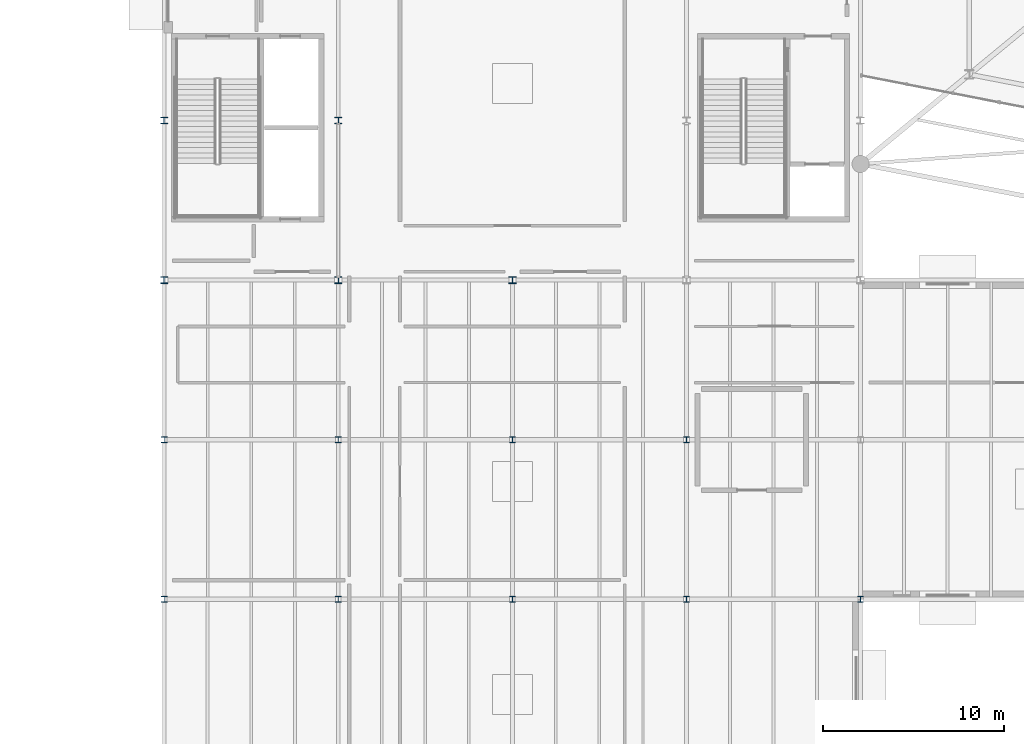
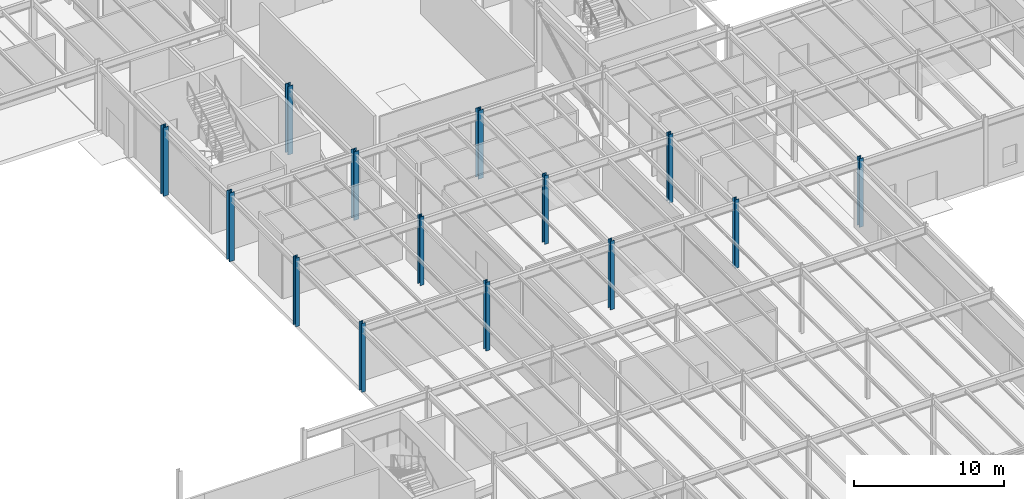
# One storey, part 8 of 70: 14 columns.
"""IFC4 building model written with IfcOpenShell, lengths in metres."""

from ifc_helpers import new_model, si_unit, direction, frame, origin, origin_2d, place, context, subcontext, project, spatial, i_section, extrude, material, material_profile, profile_set, type_object, element, save


model = new_model("IFC4")

# Units and contexts
model_context = context("Model", 3, precision=1e-05, world=origin(), true_north=direction((0.0, 1.0)))
body_context = subcontext(model_context, "Body", "Model", "MODEL_VIEW")
ifc_project = project(units=[si_unit("LENGTHUNIT", "METRE"), si_unit("AREAUNIT", "SQUARE_METRE"), si_unit("VOLUMEUNIT", "CUBIC_METRE"), si_unit("PLANEANGLEUNIT", "RADIAN"), si_unit("MASSUNIT", "GRAM", prefix="KILO")], contexts=[model_context])

# Site, building, storey
site_placement = place(None, origin())
site = spatial("IfcSite", under=ifc_project, at=site_placement, CompositionType="ELEMENT")
building_placement = place(site_placement, origin())
building = spatial("IfcBuilding", under=site, at=building_placement, Name="Sarnbrook Museum", CompositionType="ELEMENT")
storey_placement = place(building_placement, origin())
storey = spatial("IfcBuildingStorey", under=building, at=storey_placement, Name="L00", CompositionType="ELEMENT", Elevation=0.0)

# Columns
ifc_material_1 = material(Name="Structural Steel Grade 300PLUS (AS/NZS 3679.1, fy = 280 MPa for 17 < t <= 40 mm, 300 MPa for t <= 17 mm)", Category="steel")
ifc_material_profile_1 = material_profile(ifc_material_1, i_section(OverallWidth=0.31103515625, OverallDepth=0.326904296875, WebThickness=0.015625, FlangeThickness=0.02490234375, FilletRadius=0.0166015625, at=origin_2d()), Name="310UC158")
ifc_profile_set_1 = profile_set([ifc_material_profile_1], Name="Structural Steel Grade 300PLUS (AS/NZS 3679.1, fy = 280 MPa for 17 < t <= 40 mm, 300 MPa for t <= 17 mm)")
column_type_1 = type_object("IfcColumnType", Name="COL-UC310H", PredefinedType="COLUMN", material=ifc_profile_set_1)
for number, where, z_axis, x_axis, name in (
    (1, (90.39990234375, 39.199951171875, 0.0), (0.0, 0.0, 1.0), (1.0, 0.0, 0.0), "Column 10-E L00"),
    (2, (90.39990234375, 48.0, 0.0), (0.0, 0.0, 1.0), (1.0, 0.0, 0.0), "Column 10-F L00"),
    (3, (100.0, 39.199951171875, 0.0), (0.0, 0.0, 1.0), (1.0, 0.0, 0.0), "Column 11-E L00"),
    (4, (100.0, 48.0, 0.0), (0.0, 0.0, 1.0), (1.0, 0.0, 0.0), "Column 11-F L00"),
    (5, (109.60009765625, 39.199951171875, 0.0), (0.0, 0.0, 1.0), (1.0, 0.0, 0.0), "Column 12-E L00"),
    (6, (109.60009765625, 48.0, 0.0), (0.0, 0.0, 1.0), (1.0, 0.0, 0.0), "Column 12-F L00"),
    (7, (119.199951171875, 39.199951171875, 0.0), (0.0, 0.0, 1.0), (1.0, 0.0, 0.0), "Column 13-E L00"),
    (8, (80.800048828125, 39.199951171875, 0.0), (0.0, 0.0, 1.0), (1.0, 0.0, 0.0), "Column 9-E L00"),
    (9, (80.800048828125, 48.0, 0.0), (0.0, 0.0, 1.0), (1.0, 0.0, 0.0), "Column 9-F L00"),
):
    element("IfcColumn", number, at=place(storey_placement, frame(where, z_axis=z_axis, x_axis=x_axis)), inside=storey, type_object=column_type_1, Name=name, PredefinedType="COLUMN", context=body_context, shape_type="SweptSolid", body=[
        extrude(i_section(OverallWidth=0.31103515625, OverallDepth=0.326904296875, WebThickness=0.015625, FlangeThickness=0.02490234375, FilletRadius=0.0166015625, at=origin_2d()), origin(), (0.0, 0.0, 1.0), 5.60009765625),
    ])
ifc_material_2 = material(Name="Structural Steel Grade 350L0 (AS/NZS 3678, fy = 340 MPa for 20 < t <= 40 mm)", Category="steel")
ifc_material_profile_2 = material_profile(ifc_material_2, i_section(OverallWidth=0.39990234375, OverallDepth=0.382080078125, WebThickness=0.02490234375, FlangeThickness=0.035888671875, at=origin_2d()), Name="400WC270")
ifc_profile_set_2 = profile_set([ifc_material_profile_2], Name="Structural Steel Grade 350L0 (AS/NZS 3678, fy = 340 MPa for 20 < t <= 40 mm)")
column_type_2 = type_object("IfcColumnType", Name="COL-WC400", PredefinedType="COLUMN", material=ifc_profile_set_2)
for number, where, z_axis, x_axis, name in (
    (10, (90.39990234375, 56.800048828125, 0.0), (0.0, 0.0, 1.0), (1.0, 0.0, 0.0), "Column 10-G L00"),
    (11, (90.39990234375, 65.60009765625, 0.0), (0.0, 0.0, 1.0), (1.0, 0.0, 0.0), "Column 10-H L00"),
    (12, (100.0, 56.800048828125, 0.0), (0.0, 0.0, 1.0), (1.0, 0.0, 0.0), "Column 11-G L00"),
    (13, (80.800048828125, 56.800048828125, 0.0), (0.0, 0.0, 1.0), (1.0, 0.0, 0.0), "Column 9-G L00"),
    (14, (80.800048828125, 65.60009765625, 0.0), (0.0, 0.0, 1.0), (1.0, 0.0, 0.0), "Column 9-H L00"),
):
    element("IfcColumn", number, at=place(storey_placement, frame(where, z_axis=z_axis, x_axis=x_axis)), inside=storey, type_object=column_type_2, Name=name, PredefinedType="COLUMN", context=body_context, shape_type="SweptSolid", body=[
        extrude(i_section(OverallWidth=0.39990234375, OverallDepth=0.382080078125, WebThickness=0.02490234375, FlangeThickness=0.035888671875, at=origin_2d()), origin(), (0.0, 0.0, 1.0), 5.60009765625),
    ])

save(model, "model.ifc")
